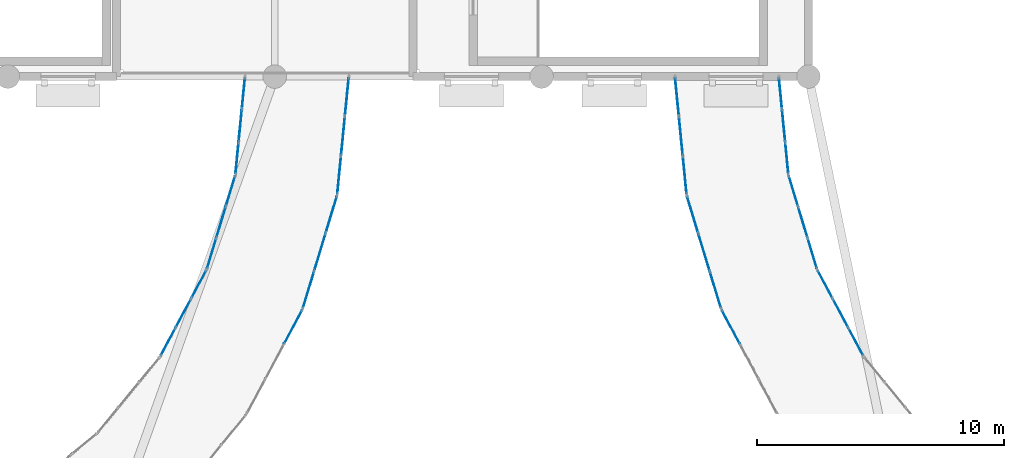
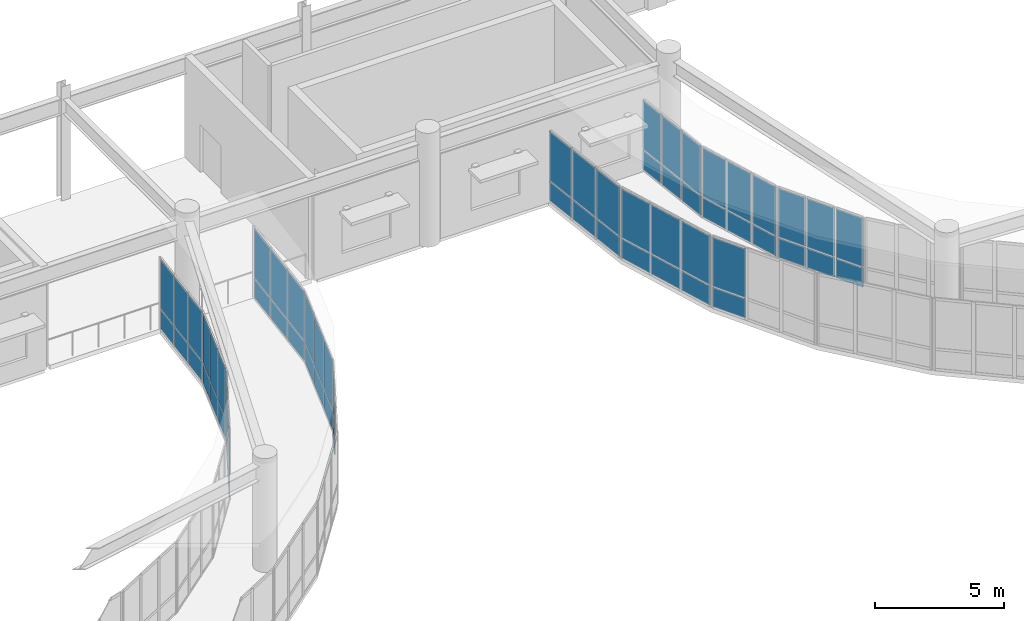
# One storey, part 38 of 68: 64 plates, 12 elements without a shape of their own.
"""IFC4 building model written with IfcOpenShell, lengths in metres."""

from ifc_helpers import new_model, si_unit, direction, frame, origin, origin_2d, place, context, subcontext, project, spatial, rectangle, extrude, material, layer, layer_set, type_object, element, aggregate, save


model = new_model("IFC4")

# Units and contexts
model_context = context("Model", 3, precision=1e-05, world=origin(), true_north=direction((0.0, 1.0)))
body_context = subcontext(model_context, "Body", "Model", "MODEL_VIEW")
ifc_project = project(units=[si_unit("LENGTHUNIT", "METRE"), si_unit("AREAUNIT", "SQUARE_METRE"), si_unit("VOLUMEUNIT", "CUBIC_METRE"), si_unit("PLANEANGLEUNIT", "RADIAN"), si_unit("MASSUNIT", "GRAM", prefix="KILO")], contexts=[model_context])

# Site, building, storey
site_placement = place(None, origin())
site = spatial("IfcSite", under=ifc_project, at=site_placement, CompositionType="ELEMENT")
building_placement = place(site_placement, origin())
building = spatial("IfcBuilding", under=site, at=building_placement, Name="Veldera Park Congress Hotel", CompositionType="ELEMENT")
storey_placement = place(building_placement, frame((0.0, 0.0, 10.800048828125)))
storey = spatial("IfcBuildingStorey", under=building, at=storey_placement, Name="L02", CompositionType="ELEMENT", Elevation=10.800048828125)

# Curtain wall, plates
ifc_material = material(Name="Low-E Triple Insulating Glass Unit (SHGC 0.22)", Category="glass")
curtain_wall_type = type_object("IfcCurtainWallType", Name="CW-BRG", PredefinedType="NOTDEFINED", material=ifc_material)
curtain_wall_1_placement = place(storey_placement, origin())
curtain_wall_1 = element("IfcCurtainWall", 1, at=curtain_wall_1_placement, inside=storey, type_object=curtain_wall_type, Name="L02 Curtain Wall CW3-BRGW-L02-A05", PredefinedType="NOTDEFINED")
ifc_layer = layer(ifc_material, 0.028076171875)
ifc_layer_set = layer_set([ifc_layer], Name="Low-E Triple Insulating Glass Unit (SHGC 0.22)")
plate_type = type_object("IfcPlateType", Name="CWP-IGU28", PredefinedType="CURTAIN_PANEL", material=ifc_layer_set)
plate_1_placement = place(storey_placement, frame((20.741455078125, 7.263916015625, 0.06005859375), z_axis=(0.0, 0.0, 1.0), x_axis=(0.471384501415, 0.881927804203, 0.0)))
plate_1 = element("IfcPlate", 2, at=plate_1_placement, type_object=plate_type, Name="CW-BRG panel 3.1", PredefinedType="CURTAIN_PANEL", context=body_context, shape_type="SweptSolid", body=[
    extrude(rectangle(XDim=1.517578125, YDim=0.028076171875, at=origin_2d()), origin(), (0.0, 0.0, 1.0), 0.909912109375),
])
plate_2_placement = place(storey_placement, frame((20.741455078125, 7.263916015625, 1.030029296875), z_axis=(0.0, 0.0, 1.0), x_axis=(0.471384501415, 0.881927804203, 0.0)))
plate_2 = element("IfcPlate", 3, at=plate_2_placement, type_object=plate_type, Name="CW-BRG panel 3.2", PredefinedType="CURTAIN_PANEL", context=body_context, shape_type="SweptSolid", body=[
    extrude(rectangle(XDim=1.517578125, YDim=0.028076171875, at=origin_2d()), origin(), (0.0, 0.0, 1.0), 2.31005859375),
])
aggregate(curtain_wall_1, [plate_1, plate_2])

curtain_wall_2_placement = place(storey_placement, origin())
curtain_wall_2 = element("IfcCurtainWall", 4, at=curtain_wall_2_placement, inside=storey, type_object=curtain_wall_type, Name="L02 Curtain Wall CW3-BRGW-L02-A06", PredefinedType="NOTDEFINED")
plate_3_placement = place(storey_placement, frame((21.364990234375, 8.76953125, 0.06005859375), z_axis=(0.0, 0.0, 1.0), x_axis=(0.290287663177, 0.956939429957, 0.0)))
plate_3 = element("IfcPlate", 5, at=plate_3_placement, type_object=plate_type, Name="CW-BRG panel 1.1", PredefinedType="CURTAIN_PANEL", context=body_context, shape_type="SweptSolid", body=[
    extrude(rectangle(XDim=1.517578125, YDim=0.028076171875, at=origin_2d()), origin(), (0.0, 0.0, 1.0), 0.909912109375),
])
plate_4_placement = place(storey_placement, frame((21.364990234375, 8.76953125, 1.030029296875), z_axis=(0.0, 0.0, 1.0), x_axis=(0.290287663177, 0.956939429957, 0.0)))
plate_4 = element("IfcPlate", 6, at=plate_4_placement, type_object=plate_type, Name="CW-BRG panel 1.2", PredefinedType="CURTAIN_PANEL", context=body_context, shape_type="SweptSolid", body=[
    extrude(rectangle(XDim=1.517578125, YDim=0.028076171875, at=origin_2d()), origin(), (0.0, 0.0, 1.0), 2.31005859375),
])
plate_5_placement = place(storey_placement, frame((21.827392578125, 10.29345703125, 0.06005859375), z_axis=(0.0, 0.0, 1.0), x_axis=(0.290287663177, 0.956939429957, 0.0)))
plate_5 = element("IfcPlate", 7, at=plate_5_placement, type_object=plate_type, Name="CW-BRG panel 2.1", PredefinedType="CURTAIN_PANEL", context=body_context, shape_type="SweptSolid", body=[
    extrude(rectangle(XDim=1.547607421875, YDim=0.028076171875, at=origin_2d()), origin(), (0.0, 0.0, 1.0), 0.909912109375),
])
plate_6_placement = place(storey_placement, frame((21.827392578125, 10.29345703125, 1.030029296875), z_axis=(0.0, 0.0, 1.0), x_axis=(0.290287663177, 0.956939429957, 0.0)))
plate_6 = element("IfcPlate", 8, at=plate_6_placement, type_object=plate_type, Name="CW-BRG panel 2.2", PredefinedType="CURTAIN_PANEL", context=body_context, shape_type="SweptSolid", body=[
    extrude(rectangle(XDim=1.547607421875, YDim=0.028076171875, at=origin_2d()), origin(), (0.0, 0.0, 1.0), 2.31005859375),
])
plate_7_placement = place(storey_placement, frame((22.28955078125, 11.8173828125, 0.06005859375), z_axis=(0.0, 0.0, 1.0), x_axis=(0.290287663177, 0.956939429957, 0.0)))
plate_7 = element("IfcPlate", 9, at=plate_7_placement, type_object=plate_type, Name="CW-BRG panel 3.1", PredefinedType="CURTAIN_PANEL", context=body_context, shape_type="SweptSolid", body=[
    extrude(rectangle(XDim=1.517578125, YDim=0.028076171875, at=origin_2d()), origin(), (0.0, 0.0, 1.0), 0.909912109375),
])
plate_8_placement = place(storey_placement, frame((22.28955078125, 11.8173828125, 1.030029296875), z_axis=(0.0, 0.0, 1.0), x_axis=(0.290287663177, 0.956939429957, 0.0)))
plate_8 = element("IfcPlate", 10, at=plate_8_placement, type_object=plate_type, Name="CW-BRG panel 3.2", PredefinedType="CURTAIN_PANEL", context=body_context, shape_type="SweptSolid", body=[
    extrude(rectangle(XDim=1.517578125, YDim=0.028076171875, at=origin_2d()), origin(), (0.0, 0.0, 1.0), 2.31005859375),
])
aggregate(curtain_wall_2, [plate_3, plate_4, plate_5, plate_6, plate_7, plate_8])

curtain_wall_3_placement = place(storey_placement, origin())
curtain_wall_3 = element("IfcCurtainWall", 11, at=curtain_wall_3_placement, inside=storey, type_object=curtain_wall_type, Name="L02 Curtain Wall CW3-BRGW-L02-A07", PredefinedType="NOTDEFINED")
plate_9_placement = place(storey_placement, frame((22.607666015625, 13.41552734375, 0.06005859375), z_axis=(0.0, 0.0, 1.0), x_axis=(0.098021259481, 0.995184320963, 0.0)))
plate_9 = element("IfcPlate", 12, at=plate_9_placement, type_object=plate_type, Name="CW-BRG panel 1.1", PredefinedType="CURTAIN_PANEL", context=body_context, shape_type="SweptSolid", body=[
    extrude(rectangle(XDim=1.517578125, YDim=0.028076171875, at=origin_2d()), origin(), (0.0, 0.0, 1.0), 0.909912109375),
])
plate_10_placement = place(storey_placement, frame((22.607666015625, 13.41552734375, 1.030029296875), z_axis=(0.0, 0.0, 1.0), x_axis=(0.098021259481, 0.995184320963, 0.0)))
plate_10 = element("IfcPlate", 13, at=plate_10_placement, type_object=plate_type, Name="CW-BRG panel 1.2", PredefinedType="CURTAIN_PANEL", context=body_context, shape_type="SweptSolid", body=[
    extrude(rectangle(XDim=1.517578125, YDim=0.028076171875, at=origin_2d()), origin(), (0.0, 0.0, 1.0), 2.31005859375),
])
plate_11_placement = place(storey_placement, frame((22.763671875, 15.00048828125, 0.06005859375), z_axis=(0.0, 0.0, 1.0), x_axis=(0.098021259481, 0.995184320963, 0.0)))
plate_11 = element("IfcPlate", 14, at=plate_11_placement, type_object=plate_type, Name="CW-BRG panel 2.1", PredefinedType="CURTAIN_PANEL", context=body_context, shape_type="SweptSolid", body=[
    extrude(rectangle(XDim=1.54736328125, YDim=0.028076171875, at=origin_2d()), origin(), (0.0, 0.0, 1.0), 0.909912109375),
])
plate_12_placement = place(storey_placement, frame((22.763671875, 15.00048828125, 1.030029296875), z_axis=(0.0, 0.0, 1.0), x_axis=(0.098021259481, 0.995184320963, 0.0)))
plate_12 = element("IfcPlate", 15, at=plate_12_placement, type_object=plate_type, Name="CW-BRG panel 2.2", PredefinedType="CURTAIN_PANEL", context=body_context, shape_type="SweptSolid", body=[
    extrude(rectangle(XDim=1.54736328125, YDim=0.028076171875, at=origin_2d()), origin(), (0.0, 0.0, 1.0), 2.31005859375),
])
plate_13_placement = place(storey_placement, frame((22.919677734375, 16.585205078125, 0.06005859375), z_axis=(0.0, 0.0, 1.0), x_axis=(0.098021259481, 0.995184320963, 0.0)))
plate_13 = element("IfcPlate", 16, at=plate_13_placement, type_object=plate_type, Name="CW-BRG panel 3.1", PredefinedType="CURTAIN_PANEL", context=body_context, shape_type="SweptSolid", body=[
    extrude(rectangle(XDim=1.517578125, YDim=0.028076171875, at=origin_2d()), origin(), (0.0, 0.0, 1.0), 0.909912109375),
])
plate_14_placement = place(storey_placement, frame((22.919677734375, 16.585205078125, 1.030029296875), z_axis=(0.0, 0.0, 1.0), x_axis=(0.098021259481, 0.995184320963, 0.0)))
plate_14 = element("IfcPlate", 17, at=plate_14_placement, type_object=plate_type, Name="CW-BRG panel 3.2", PredefinedType="CURTAIN_PANEL", context=body_context, shape_type="SweptSolid", body=[
    extrude(rectangle(XDim=1.517578125, YDim=0.028076171875, at=origin_2d()), origin(), (0.0, 0.0, 1.0), 2.31005859375),
])
aggregate(curtain_wall_3, [plate_9, plate_10, plate_11, plate_12, plate_13, plate_14])

curtain_wall_4_placement = place(storey_placement, origin())
curtain_wall_4 = element("IfcCurtainWall", 18, at=curtain_wall_4_placement, inside=storey, type_object=curtain_wall_type, Name="L02 Curtain Wall CW3-BRGW-L02-B09", PredefinedType="NOTDEFINED")
plate_15_placement = place(storey_placement, frame((18.733154296875, 16.7216796875, 0.06005859375), z_axis=(0.0, 0.0, 1.0), x_axis=(-0.098023062513, -0.99518414337, 0.0)))
plate_15 = element("IfcPlate", 19, at=plate_15_placement, type_object=plate_type, Name="CW-BRG panel 1.1", PredefinedType="CURTAIN_PANEL", context=body_context, shape_type="SweptSolid", body=[
    extrude(rectangle(XDim=1.242919921875, YDim=0.028076171875, at=origin_2d()), origin(), (0.0, 0.0, 1.0), 0.909912109375),
])
plate_16_placement = place(storey_placement, frame((18.733154296875, 16.7216796875, 1.030029296875), z_axis=(0.0, 0.0, 1.0), x_axis=(-0.098023062513, -0.99518414337, 0.0)))
plate_16 = element("IfcPlate", 20, at=plate_16_placement, type_object=plate_type, Name="CW-BRG panel 1.2", PredefinedType="CURTAIN_PANEL", context=body_context, shape_type="SweptSolid", body=[
    extrude(rectangle(XDim=1.242919921875, YDim=0.028076171875, at=origin_2d()), origin(), (0.0, 0.0, 1.0), 2.31005859375),
])
plate_17_placement = place(storey_placement, frame((18.60400390625, 15.41015625, 0.06005859375), z_axis=(0.0, 0.0, 1.0), x_axis=(-0.098023062513, -0.99518414337, 0.0)))
plate_17 = element("IfcPlate", 21, at=plate_17_placement, type_object=plate_type, Name="CW-BRG panel 2.1", PredefinedType="CURTAIN_PANEL", context=body_context, shape_type="SweptSolid", body=[
    extrude(rectangle(XDim=1.27294921875, YDim=0.028076171875, at=origin_2d()), origin(), (0.0, 0.0, 1.0), 0.909912109375),
])
plate_18_placement = place(storey_placement, frame((18.60400390625, 15.41015625, 1.030029296875), z_axis=(0.0, 0.0, 1.0), x_axis=(-0.098023062513, -0.99518414337, 0.0)))
plate_18 = element("IfcPlate", 22, at=plate_18_placement, type_object=plate_type, Name="CW-BRG panel 2.2", PredefinedType="CURTAIN_PANEL", context=body_context, shape_type="SweptSolid", body=[
    extrude(rectangle(XDim=1.27294921875, YDim=0.028076171875, at=origin_2d()), origin(), (0.0, 0.0, 1.0), 2.31005859375),
])
plate_19_placement = place(storey_placement, frame((18.474853515625, 14.098388671875, 0.06005859375), z_axis=(0.0, 0.0, 1.0), x_axis=(-0.098023062513, -0.99518414337, 0.0)))
plate_19 = element("IfcPlate", 23, at=plate_19_placement, type_object=plate_type, Name="CW-BRG panel 3.1", PredefinedType="CURTAIN_PANEL", context=body_context, shape_type="SweptSolid", body=[
    extrude(rectangle(XDim=1.242919921875, YDim=0.028076171875, at=origin_2d()), origin(), (0.0, 0.0, 1.0), 0.909912109375),
])
plate_20_placement = place(storey_placement, frame((18.474853515625, 14.098388671875, 1.030029296875), z_axis=(0.0, 0.0, 1.0), x_axis=(-0.098023062513, -0.99518414337, 0.0)))
plate_20 = element("IfcPlate", 24, at=plate_20_placement, type_object=plate_type, Name="CW-BRG panel 3.2", PredefinedType="CURTAIN_PANEL", context=body_context, shape_type="SweptSolid", body=[
    extrude(rectangle(XDim=1.242919921875, YDim=0.028076171875, at=origin_2d()), origin(), (0.0, 0.0, 1.0), 2.31005859375),
])
aggregate(curtain_wall_4, [plate_15, plate_16, plate_17, plate_18, plate_19, plate_20])

curtain_wall_5_placement = place(storey_placement, origin())
curtain_wall_5 = element("IfcCurtainWall", 25, at=curtain_wall_5_placement, inside=storey, type_object=curtain_wall_type, Name="L02 Curtain Wall CW3-BRGW-L02-B10", PredefinedType="NOTDEFINED")
plate_21_placement = place(storey_placement, frame((18.210205078125, 12.76806640625, 0.06005859375), z_axis=(0.0, 0.0, 1.0), x_axis=(-0.290289846929, -0.956938767513, 0.0)))
plate_21 = element("IfcPlate", 26, at=plate_21_placement, type_object=plate_type, Name="CW-BRG panel 1.1", PredefinedType="CURTAIN_PANEL", context=body_context, shape_type="SweptSolid", body=[
    extrude(rectangle(XDim=1.242919921875, YDim=0.028076171875, at=origin_2d()), origin(), (0.0, 0.0, 1.0), 0.909912109375),
])
plate_22_placement = place(storey_placement, frame((18.210205078125, 12.76806640625, 1.030029296875), z_axis=(0.0, 0.0, 1.0), x_axis=(-0.290289846929, -0.956938767513, 0.0)))
plate_22 = element("IfcPlate", 27, at=plate_22_placement, type_object=plate_type, Name="CW-BRG panel 1.2", PredefinedType="CURTAIN_PANEL", context=body_context, shape_type="SweptSolid", body=[
    extrude(rectangle(XDim=1.242919921875, YDim=0.028076171875, at=origin_2d()), origin(), (0.0, 0.0, 1.0), 2.31005859375),
])
plate_23_placement = place(storey_placement, frame((17.82763671875, 11.5068359375, 0.06005859375), z_axis=(0.0, 0.0, 1.0), x_axis=(-0.290289846929, -0.956938767513, 0.0)))
plate_23 = element("IfcPlate", 28, at=plate_23_placement, type_object=plate_type, Name="CW-BRG panel 2.1", PredefinedType="CURTAIN_PANEL", context=body_context, shape_type="SweptSolid", body=[
    extrude(rectangle(XDim=1.27294921875, YDim=0.028076171875, at=origin_2d()), origin(), (0.0, 0.0, 1.0), 0.909912109375),
])
plate_24_placement = place(storey_placement, frame((17.82763671875, 11.5068359375, 1.030029296875), z_axis=(0.0, 0.0, 1.0), x_axis=(-0.290289846929, -0.956938767513, 0.0)))
plate_24 = element("IfcPlate", 29, at=plate_24_placement, type_object=plate_type, Name="CW-BRG panel 2.2", PredefinedType="CURTAIN_PANEL", context=body_context, shape_type="SweptSolid", body=[
    extrude(rectangle(XDim=1.27294921875, YDim=0.028076171875, at=origin_2d()), origin(), (0.0, 0.0, 1.0), 2.31005859375),
])
plate_25_placement = place(storey_placement, frame((17.44482421875, 10.245361328125, 0.06005859375), z_axis=(0.0, 0.0, 1.0), x_axis=(-0.290289846929, -0.956938767513, 0.0)))
plate_25 = element("IfcPlate", 30, at=plate_25_placement, type_object=plate_type, Name="CW-BRG panel 3.1", PredefinedType="CURTAIN_PANEL", context=body_context, shape_type="SweptSolid", body=[
    extrude(rectangle(XDim=1.242919921875, YDim=0.028076171875, at=origin_2d()), origin(), (0.0, 0.0, 1.0), 0.909912109375),
])
plate_26_placement = place(storey_placement, frame((17.44482421875, 10.245361328125, 1.030029296875), z_axis=(0.0, 0.0, 1.0), x_axis=(-0.290289846929, -0.956938767513, 0.0)))
plate_26 = element("IfcPlate", 31, at=plate_26_placement, type_object=plate_type, Name="CW-BRG panel 3.2", PredefinedType="CURTAIN_PANEL", context=body_context, shape_type="SweptSolid", body=[
    extrude(rectangle(XDim=1.242919921875, YDim=0.028076171875, at=origin_2d()), origin(), (0.0, 0.0, 1.0), 2.31005859375),
])
aggregate(curtain_wall_5, [plate_21, plate_22, plate_23, plate_24, plate_25, plate_26])

curtain_wall_6_placement = place(storey_placement, origin())
curtain_wall_6 = element("IfcCurtainWall", 32, at=curtain_wall_6_placement, inside=storey, type_object=curtain_wall_type, Name="L02 Curtain Wall CW3-BRGW-L02-B11", PredefinedType="NOTDEFINED")
plate_27_placement = place(storey_placement, frame((16.92578125, 8.9921875, 0.06005859375), z_axis=(0.0, 0.0, 1.0), x_axis=(-0.471383642588, -0.881928263239, 0.0)))
plate_27 = element("IfcPlate", 33, at=plate_27_placement, type_object=plate_type, Name="CW-BRG panel 1.1", PredefinedType="CURTAIN_PANEL", context=body_context, shape_type="SweptSolid", body=[
    extrude(rectangle(XDim=1.242919921875, YDim=0.028076171875, at=origin_2d()), origin(), (0.0, 0.0, 1.0), 0.909912109375),
])
plate_28_placement = place(storey_placement, frame((16.92578125, 8.9921875, 1.030029296875), z_axis=(0.0, 0.0, 1.0), x_axis=(-0.471383642588, -0.881928263239, 0.0)))
plate_28 = element("IfcPlate", 34, at=plate_28_placement, type_object=plate_type, Name="CW-BRG panel 1.2", PredefinedType="CURTAIN_PANEL", context=body_context, shape_type="SweptSolid", body=[
    extrude(rectangle(XDim=1.242919921875, YDim=0.028076171875, at=origin_2d()), origin(), (0.0, 0.0, 1.0), 2.31005859375),
])
plate_29_placement = place(storey_placement, frame((16.304443359375, 7.829833984375, 0.06005859375), z_axis=(0.0, 0.0, 1.0), x_axis=(-0.471383642588, -0.881928263239, 0.0)))
plate_29 = element("IfcPlate", 35, at=plate_29_placement, type_object=plate_type, Name="CW-BRG panel 2.1", PredefinedType="CURTAIN_PANEL", context=body_context, shape_type="SweptSolid", body=[
    extrude(rectangle(XDim=1.27294921875, YDim=0.028076171875, at=origin_2d()), origin(), (0.0, 0.0, 1.0), 0.909912109375),
])
plate_30_placement = place(storey_placement, frame((16.304443359375, 7.829833984375, 1.030029296875), z_axis=(0.0, 0.0, 1.0), x_axis=(-0.471383642588, -0.881928263239, 0.0)))
plate_30 = element("IfcPlate", 36, at=plate_30_placement, type_object=plate_type, Name="CW-BRG panel 2.2", PredefinedType="CURTAIN_PANEL", context=body_context, shape_type="SweptSolid", body=[
    extrude(rectangle(XDim=1.27294921875, YDim=0.028076171875, at=origin_2d()), origin(), (0.0, 0.0, 1.0), 2.31005859375),
])
plate_31_placement = place(storey_placement, frame((15.683349609375, 6.66748046875, 0.06005859375), z_axis=(0.0, 0.0, 1.0), x_axis=(-0.471383642588, -0.881928263239, 0.0)))
plate_31 = element("IfcPlate", 37, at=plate_31_placement, type_object=plate_type, Name="CW-BRG panel 3.1", PredefinedType="CURTAIN_PANEL", context=body_context, shape_type="SweptSolid", body=[
    extrude(rectangle(XDim=1.242919921875, YDim=0.028076171875, at=origin_2d()), origin(), (0.0, 0.0, 1.0), 0.909912109375),
])
plate_32_placement = place(storey_placement, frame((15.683349609375, 6.66748046875, 1.030029296875), z_axis=(0.0, 0.0, 1.0), x_axis=(-0.471383642588, -0.881928263239, 0.0)))
plate_32 = element("IfcPlate", 38, at=plate_32_placement, type_object=plate_type, Name="CW-BRG panel 3.2", PredefinedType="CURTAIN_PANEL", context=body_context, shape_type="SweptSolid", body=[
    extrude(rectangle(XDim=1.242919921875, YDim=0.028076171875, at=origin_2d()), origin(), (0.0, 0.0, 1.0), 2.31005859375),
])
aggregate(curtain_wall_6, [plate_27, plate_28, plate_29, plate_30, plate_31, plate_32])

curtain_wall_7_placement = place(storey_placement, origin())
curtain_wall_7 = element("IfcCurtainWall", 39, at=curtain_wall_7_placement, inside=storey, type_object=curtain_wall_type, Name="L02 Curtain Wall CW3-BRGE-L02-A00", PredefinedType="NOTDEFINED")
plate_33_placement = place(storey_placement, frame((36.2802734375, 16.585205078125, 0.06005859375), z_axis=(0.0, 0.0, 1.0), x_axis=(0.098021259481, -0.995184320963, 0.0)))
plate_33 = element("IfcPlate", 40, at=plate_33_placement, type_object=plate_type, Name="CW-BRG panel 1.1", PredefinedType="CURTAIN_PANEL", context=body_context, shape_type="SweptSolid", body=[
    extrude(rectangle(XDim=1.517578125, YDim=0.028076171875, at=origin_2d()), origin(), (0.0, 0.0, 1.0), 0.909912109375),
])
plate_34_placement = place(storey_placement, frame((36.2802734375, 16.585205078125, 1.030029296875), z_axis=(0.0, 0.0, 1.0), x_axis=(0.098021259481, -0.995184320963, 0.0)))
plate_34 = element("IfcPlate", 41, at=plate_34_placement, type_object=plate_type, Name="CW-BRG panel 1.2", PredefinedType="CURTAIN_PANEL", context=body_context, shape_type="SweptSolid", body=[
    extrude(rectangle(XDim=1.517578125, YDim=0.028076171875, at=origin_2d()), origin(), (0.0, 0.0, 1.0), 2.31005859375),
])
plate_35_placement = place(storey_placement, frame((36.436279296875, 15.00048828125, 0.06005859375), z_axis=(0.0, 0.0, 1.0), x_axis=(0.098021259481, -0.995184320963, 0.0)))
plate_35 = element("IfcPlate", 42, at=plate_35_placement, type_object=plate_type, Name="CW-BRG panel 2.1", PredefinedType="CURTAIN_PANEL", context=body_context, shape_type="SweptSolid", body=[
    extrude(rectangle(XDim=1.54736328125, YDim=0.028076171875, at=origin_2d()), origin(), (0.0, 0.0, 1.0), 0.909912109375),
])
plate_36_placement = place(storey_placement, frame((36.436279296875, 15.00048828125, 1.030029296875), z_axis=(0.0, 0.0, 1.0), x_axis=(0.098021259481, -0.995184320963, 0.0)))
plate_36 = element("IfcPlate", 43, at=plate_36_placement, type_object=plate_type, Name="CW-BRG panel 2.2", PredefinedType="CURTAIN_PANEL", context=body_context, shape_type="SweptSolid", body=[
    extrude(rectangle(XDim=1.54736328125, YDim=0.028076171875, at=origin_2d()), origin(), (0.0, 0.0, 1.0), 2.31005859375),
])
plate_37_placement = place(storey_placement, frame((36.592529296875, 13.41552734375, 0.06005859375), z_axis=(0.0, 0.0, 1.0), x_axis=(0.098021259481, -0.995184320963, 0.0)))
plate_37 = element("IfcPlate", 44, at=plate_37_placement, type_object=plate_type, Name="CW-BRG panel 3.1", PredefinedType="CURTAIN_PANEL", context=body_context, shape_type="SweptSolid", body=[
    extrude(rectangle(XDim=1.517578125, YDim=0.028076171875, at=origin_2d()), origin(), (0.0, 0.0, 1.0), 0.909912109375),
])
plate_38_placement = place(storey_placement, frame((36.592529296875, 13.41552734375, 1.030029296875), z_axis=(0.0, 0.0, 1.0), x_axis=(0.098021259481, -0.995184320963, 0.0)))
plate_38 = element("IfcPlate", 45, at=plate_38_placement, type_object=plate_type, Name="CW-BRG panel 3.2", PredefinedType="CURTAIN_PANEL", context=body_context, shape_type="SweptSolid", body=[
    extrude(rectangle(XDim=1.517578125, YDim=0.028076171875, at=origin_2d()), origin(), (0.0, 0.0, 1.0), 2.31005859375),
])
aggregate(curtain_wall_7, [plate_33, plate_34, plate_35, plate_36, plate_37, plate_38])

curtain_wall_8_placement = place(storey_placement, origin())
curtain_wall_8 = element("IfcCurtainWall", 46, at=curtain_wall_8_placement, inside=storey, type_object=curtain_wall_type, Name="L02 Curtain Wall CW3-BRGE-L02-A01", PredefinedType="NOTDEFINED")
plate_39_placement = place(storey_placement, frame((36.910400390625, 11.8173828125, 0.06005859375), z_axis=(0.0, 0.0, 1.0), x_axis=(0.290287663177, -0.956939429957, 0.0)))
plate_39 = element("IfcPlate", 47, at=plate_39_placement, type_object=plate_type, Name="CW-BRG panel 1.1", PredefinedType="CURTAIN_PANEL", context=body_context, shape_type="SweptSolid", body=[
    extrude(rectangle(XDim=1.517578125, YDim=0.028076171875, at=origin_2d()), origin(), (0.0, 0.0, 1.0), 0.909912109375),
])
plate_40_placement = place(storey_placement, frame((36.910400390625, 11.8173828125, 1.030029296875), z_axis=(0.0, 0.0, 1.0), x_axis=(0.290287663177, -0.956939429957, 0.0)))
plate_40 = element("IfcPlate", 48, at=plate_40_placement, type_object=plate_type, Name="CW-BRG panel 1.2", PredefinedType="CURTAIN_PANEL", context=body_context, shape_type="SweptSolid", body=[
    extrude(rectangle(XDim=1.517578125, YDim=0.028076171875, at=origin_2d()), origin(), (0.0, 0.0, 1.0), 2.31005859375),
])
plate_41_placement = place(storey_placement, frame((37.37255859375, 10.29345703125, 0.06005859375), z_axis=(0.0, 0.0, 1.0), x_axis=(0.290287663177, -0.956939429957, 0.0)))
plate_41 = element("IfcPlate", 49, at=plate_41_placement, type_object=plate_type, Name="CW-BRG panel 2.1", PredefinedType="CURTAIN_PANEL", context=body_context, shape_type="SweptSolid", body=[
    extrude(rectangle(XDim=1.547607421875, YDim=0.028076171875, at=origin_2d()), origin(), (0.0, 0.0, 1.0), 0.909912109375),
])
plate_42_placement = place(storey_placement, frame((37.37255859375, 10.29345703125, 1.030029296875), z_axis=(0.0, 0.0, 1.0), x_axis=(0.290287663177, -0.956939429957, 0.0)))
plate_42 = element("IfcPlate", 50, at=plate_42_placement, type_object=plate_type, Name="CW-BRG panel 2.2", PredefinedType="CURTAIN_PANEL", context=body_context, shape_type="SweptSolid", body=[
    extrude(rectangle(XDim=1.547607421875, YDim=0.028076171875, at=origin_2d()), origin(), (0.0, 0.0, 1.0), 2.31005859375),
])
plate_43_placement = place(storey_placement, frame((37.8349609375, 8.76953125, 0.06005859375), z_axis=(0.0, 0.0, 1.0), x_axis=(0.290287663177, -0.956939429957, 0.0)))
plate_43 = element("IfcPlate", 51, at=plate_43_placement, type_object=plate_type, Name="CW-BRG panel 3.1", PredefinedType="CURTAIN_PANEL", context=body_context, shape_type="SweptSolid", body=[
    extrude(rectangle(XDim=1.517578125, YDim=0.028076171875, at=origin_2d()), origin(), (0.0, 0.0, 1.0), 0.909912109375),
])
plate_44_placement = place(storey_placement, frame((37.8349609375, 8.76953125, 1.030029296875), z_axis=(0.0, 0.0, 1.0), x_axis=(0.290287663177, -0.956939429957, 0.0)))
plate_44 = element("IfcPlate", 52, at=plate_44_placement, type_object=plate_type, Name="CW-BRG panel 3.2", PredefinedType="CURTAIN_PANEL", context=body_context, shape_type="SweptSolid", body=[
    extrude(rectangle(XDim=1.517578125, YDim=0.028076171875, at=origin_2d()), origin(), (0.0, 0.0, 1.0), 2.31005859375),
])
aggregate(curtain_wall_8, [plate_39, plate_40, plate_41, plate_42, plate_43, plate_44])

curtain_wall_9_placement = place(storey_placement, origin())
curtain_wall_9 = element("IfcCurtainWall", 53, at=curtain_wall_9_placement, inside=storey, type_object=curtain_wall_type, Name="L02 Curtain Wall CW3-BRGE-L02-A02", PredefinedType="NOTDEFINED")
plate_45_placement = place(storey_placement, frame((38.45849609375, 7.263916015625, 0.06005859375), z_axis=(0.0, 0.0, 1.0), x_axis=(0.471384501415, -0.881927804203, 0.0)))
plate_45 = element("IfcPlate", 54, at=plate_45_placement, type_object=plate_type, Name="CW-BRG panel 1.1", PredefinedType="CURTAIN_PANEL", context=body_context, shape_type="SweptSolid", body=[
    extrude(rectangle(XDim=1.517578125, YDim=0.028076171875, at=origin_2d()), origin(), (0.0, 0.0, 1.0), 0.909912109375),
])
plate_46_placement = place(storey_placement, frame((38.45849609375, 7.263916015625, 1.030029296875), z_axis=(0.0, 0.0, 1.0), x_axis=(0.471384501415, -0.881927804203, 0.0)))
plate_46 = element("IfcPlate", 55, at=plate_46_placement, type_object=plate_type, Name="CW-BRG panel 1.2", PredefinedType="CURTAIN_PANEL", context=body_context, shape_type="SweptSolid", body=[
    extrude(rectangle(XDim=1.517578125, YDim=0.028076171875, at=origin_2d()), origin(), (0.0, 0.0, 1.0), 2.31005859375),
])
aggregate(curtain_wall_9, [plate_45, plate_46])

curtain_wall_10_placement = place(storey_placement, origin())
curtain_wall_10 = element("IfcCurtainWall", 56, at=curtain_wall_10_placement, inside=storey, type_object=curtain_wall_type, Name="L02 Curtain Wall CW3-BRGE-L02-B14", PredefinedType="NOTDEFINED")
plate_47_placement = place(storey_placement, frame((43.516845703125, 6.66748046875, 0.06005859375), z_axis=(0.0, 0.0, 1.0), x_axis=(-0.471383642588, 0.881928263239, 0.0)))
plate_47 = element("IfcPlate", 57, at=plate_47_placement, type_object=plate_type, Name="CW-BRG panel 1.1", PredefinedType="CURTAIN_PANEL", context=body_context, shape_type="SweptSolid", body=[
    extrude(rectangle(XDim=1.242919921875, YDim=0.028076171875, at=origin_2d()), origin(), (0.0, 0.0, 1.0), 0.909912109375),
])
plate_48_placement = place(storey_placement, frame((43.516845703125, 6.66748046875, 1.030029296875), z_axis=(0.0, 0.0, 1.0), x_axis=(-0.471383642588, 0.881928263239, 0.0)))
plate_48 = element("IfcPlate", 58, at=plate_48_placement, type_object=plate_type, Name="CW-BRG panel 1.2", PredefinedType="CURTAIN_PANEL", context=body_context, shape_type="SweptSolid", body=[
    extrude(rectangle(XDim=1.242919921875, YDim=0.028076171875, at=origin_2d()), origin(), (0.0, 0.0, 1.0), 2.31005859375),
])
plate_49_placement = place(storey_placement, frame((42.8955078125, 7.829833984375, 0.06005859375), z_axis=(0.0, 0.0, 1.0), x_axis=(-0.471383642588, 0.881928263239, 0.0)))
plate_49 = element("IfcPlate", 59, at=plate_49_placement, type_object=plate_type, Name="CW-BRG panel 2.1", PredefinedType="CURTAIN_PANEL", context=body_context, shape_type="SweptSolid", body=[
    extrude(rectangle(XDim=1.27294921875, YDim=0.028076171875, at=origin_2d()), origin(), (0.0, 0.0, 1.0), 0.909912109375),
])
plate_50_placement = place(storey_placement, frame((42.8955078125, 7.829833984375, 1.030029296875), z_axis=(0.0, 0.0, 1.0), x_axis=(-0.471383642588, 0.881928263239, 0.0)))
plate_50 = element("IfcPlate", 60, at=plate_50_placement, type_object=plate_type, Name="CW-BRG panel 2.2", PredefinedType="CURTAIN_PANEL", context=body_context, shape_type="SweptSolid", body=[
    extrude(rectangle(XDim=1.27294921875, YDim=0.028076171875, at=origin_2d()), origin(), (0.0, 0.0, 1.0), 2.31005859375),
])
plate_51_placement = place(storey_placement, frame((42.274169921875, 8.9921875, 0.06005859375), z_axis=(0.0, 0.0, 1.0), x_axis=(-0.471383642588, 0.881928263239, 0.0)))
plate_51 = element("IfcPlate", 61, at=plate_51_placement, type_object=plate_type, Name="CW-BRG panel 3.1", PredefinedType="CURTAIN_PANEL", context=body_context, shape_type="SweptSolid", body=[
    extrude(rectangle(XDim=1.242919921875, YDim=0.028076171875, at=origin_2d()), origin(), (0.0, 0.0, 1.0), 0.909912109375),
])
plate_52_placement = place(storey_placement, frame((42.274169921875, 8.9921875, 1.030029296875), z_axis=(0.0, 0.0, 1.0), x_axis=(-0.471383642588, 0.881928263239, 0.0)))
plate_52 = element("IfcPlate", 62, at=plate_52_placement, type_object=plate_type, Name="CW-BRG panel 3.2", PredefinedType="CURTAIN_PANEL", context=body_context, shape_type="SweptSolid", body=[
    extrude(rectangle(XDim=1.242919921875, YDim=0.028076171875, at=origin_2d()), origin(), (0.0, 0.0, 1.0), 2.31005859375),
])
aggregate(curtain_wall_10, [plate_47, plate_48, plate_49, plate_50, plate_51, plate_52])

curtain_wall_11_placement = place(storey_placement, origin())
curtain_wall_11 = element("IfcCurtainWall", 63, at=curtain_wall_11_placement, inside=storey, type_object=curtain_wall_type, Name="L02 Curtain Wall CW3-BRGE-L02-B15", PredefinedType="NOTDEFINED")
plate_53_placement = place(storey_placement, frame((41.755126953125, 10.245361328125, 0.06005859375), z_axis=(0.0, 0.0, 1.0), x_axis=(-0.290289846929, 0.956938767513, 0.0)))
plate_53 = element("IfcPlate", 64, at=plate_53_placement, type_object=plate_type, Name="CW-BRG panel 1.1", PredefinedType="CURTAIN_PANEL", context=body_context, shape_type="SweptSolid", body=[
    extrude(rectangle(XDim=1.242919921875, YDim=0.028076171875, at=origin_2d()), origin(), (0.0, 0.0, 1.0), 0.909912109375),
])
plate_54_placement = place(storey_placement, frame((41.755126953125, 10.245361328125, 1.030029296875), z_axis=(0.0, 0.0, 1.0), x_axis=(-0.290289846929, 0.956938767513, 0.0)))
plate_54 = element("IfcPlate", 65, at=plate_54_placement, type_object=plate_type, Name="CW-BRG panel 1.2", PredefinedType="CURTAIN_PANEL", context=body_context, shape_type="SweptSolid", body=[
    extrude(rectangle(XDim=1.242919921875, YDim=0.028076171875, at=origin_2d()), origin(), (0.0, 0.0, 1.0), 2.31005859375),
])
plate_55_placement = place(storey_placement, frame((41.37255859375, 11.5068359375, 0.06005859375), z_axis=(0.0, 0.0, 1.0), x_axis=(-0.290289846929, 0.956938767513, 0.0)))
plate_55 = element("IfcPlate", 66, at=plate_55_placement, type_object=plate_type, Name="CW-BRG panel 2.1", PredefinedType="CURTAIN_PANEL", context=body_context, shape_type="SweptSolid", body=[
    extrude(rectangle(XDim=1.27294921875, YDim=0.028076171875, at=origin_2d()), origin(), (0.0, 0.0, 1.0), 0.909912109375),
])
plate_56_placement = place(storey_placement, frame((41.37255859375, 11.5068359375, 1.030029296875), z_axis=(0.0, 0.0, 1.0), x_axis=(-0.290289846929, 0.956938767513, 0.0)))
plate_56 = element("IfcPlate", 67, at=plate_56_placement, type_object=plate_type, Name="CW-BRG panel 2.2", PredefinedType="CURTAIN_PANEL", context=body_context, shape_type="SweptSolid", body=[
    extrude(rectangle(XDim=1.27294921875, YDim=0.028076171875, at=origin_2d()), origin(), (0.0, 0.0, 1.0), 2.31005859375),
])
plate_57_placement = place(storey_placement, frame((40.98974609375, 12.76806640625, 0.06005859375), z_axis=(0.0, 0.0, 1.0), x_axis=(-0.290289846929, 0.956938767513, 0.0)))
plate_57 = element("IfcPlate", 68, at=plate_57_placement, type_object=plate_type, Name="CW-BRG panel 3.1", PredefinedType="CURTAIN_PANEL", context=body_context, shape_type="SweptSolid", body=[
    extrude(rectangle(XDim=1.242919921875, YDim=0.028076171875, at=origin_2d()), origin(), (0.0, 0.0, 1.0), 0.909912109375),
])
plate_58_placement = place(storey_placement, frame((40.98974609375, 12.76806640625, 1.030029296875), z_axis=(0.0, 0.0, 1.0), x_axis=(-0.290289846929, 0.956938767513, 0.0)))
plate_58 = element("IfcPlate", 69, at=plate_58_placement, type_object=plate_type, Name="CW-BRG panel 3.2", PredefinedType="CURTAIN_PANEL", context=body_context, shape_type="SweptSolid", body=[
    extrude(rectangle(XDim=1.242919921875, YDim=0.028076171875, at=origin_2d()), origin(), (0.0, 0.0, 1.0), 2.31005859375),
])
aggregate(curtain_wall_11, [plate_53, plate_54, plate_55, plate_56, plate_57, plate_58])

curtain_wall_12_placement = place(storey_placement, origin())
curtain_wall_12 = element("IfcCurtainWall", 70, at=curtain_wall_12_placement, inside=storey, type_object=curtain_wall_type, Name="L02 Curtain Wall CW3-BRGE-L02-B16", PredefinedType="NOTDEFINED")
plate_59_placement = place(storey_placement, frame((40.72509765625, 14.098388671875, 0.06005859375), z_axis=(0.0, 0.0, 1.0), x_axis=(-0.098023062513, 0.99518414337, 0.0)))
plate_59 = element("IfcPlate", 71, at=plate_59_placement, type_object=plate_type, Name="CW-BRG panel 1.1", PredefinedType="CURTAIN_PANEL", context=body_context, shape_type="SweptSolid", body=[
    extrude(rectangle(XDim=1.242919921875, YDim=0.028076171875, at=origin_2d()), origin(), (0.0, 0.0, 1.0), 0.909912109375),
])
plate_60_placement = place(storey_placement, frame((40.72509765625, 14.098388671875, 1.030029296875), z_axis=(0.0, 0.0, 1.0), x_axis=(-0.098023062513, 0.99518414337, 0.0)))
plate_60 = element("IfcPlate", 72, at=plate_60_placement, type_object=plate_type, Name="CW-BRG panel 1.2", PredefinedType="CURTAIN_PANEL", context=body_context, shape_type="SweptSolid", body=[
    extrude(rectangle(XDim=1.242919921875, YDim=0.028076171875, at=origin_2d()), origin(), (0.0, 0.0, 1.0), 2.31005859375),
])
plate_61_placement = place(storey_placement, frame((40.595947265625, 15.41015625, 0.06005859375), z_axis=(0.0, 0.0, 1.0), x_axis=(-0.098023062513, 0.99518414337, 0.0)))
plate_61 = element("IfcPlate", 73, at=plate_61_placement, type_object=plate_type, Name="CW-BRG panel 2.1", PredefinedType="CURTAIN_PANEL", context=body_context, shape_type="SweptSolid", body=[
    extrude(rectangle(XDim=1.27294921875, YDim=0.028076171875, at=origin_2d()), origin(), (0.0, 0.0, 1.0), 0.909912109375),
])
plate_62_placement = place(storey_placement, frame((40.595947265625, 15.41015625, 1.030029296875), z_axis=(0.0, 0.0, 1.0), x_axis=(-0.098023062513, 0.99518414337, 0.0)))
plate_62 = element("IfcPlate", 74, at=plate_62_placement, type_object=plate_type, Name="CW-BRG panel 2.2", PredefinedType="CURTAIN_PANEL", context=body_context, shape_type="SweptSolid", body=[
    extrude(rectangle(XDim=1.27294921875, YDim=0.028076171875, at=origin_2d()), origin(), (0.0, 0.0, 1.0), 2.31005859375),
])
plate_63_placement = place(storey_placement, frame((40.466796875, 16.7216796875, 0.06005859375), z_axis=(0.0, 0.0, 1.0), x_axis=(-0.098023062513, 0.99518414337, 0.0)))
plate_63 = element("IfcPlate", 75, at=plate_63_placement, type_object=plate_type, Name="CW-BRG panel 3.1", PredefinedType="CURTAIN_PANEL", context=body_context, shape_type="SweptSolid", body=[
    extrude(rectangle(XDim=1.242919921875, YDim=0.028076171875, at=origin_2d()), origin(), (0.0, 0.0, 1.0), 0.909912109375),
])
plate_64_placement = place(storey_placement, frame((40.466796875, 16.7216796875, 1.030029296875), z_axis=(0.0, 0.0, 1.0), x_axis=(-0.098023062513, 0.99518414337, 0.0)))
plate_64 = element("IfcPlate", 76, at=plate_64_placement, type_object=plate_type, Name="CW-BRG panel 3.2", PredefinedType="CURTAIN_PANEL", context=body_context, shape_type="SweptSolid", body=[
    extrude(rectangle(XDim=1.242919921875, YDim=0.028076171875, at=origin_2d()), origin(), (0.0, 0.0, 1.0), 2.31005859375),
])
aggregate(curtain_wall_12, [plate_59, plate_60, plate_61, plate_62, plate_63, plate_64])

save(model, "model.ifc")
